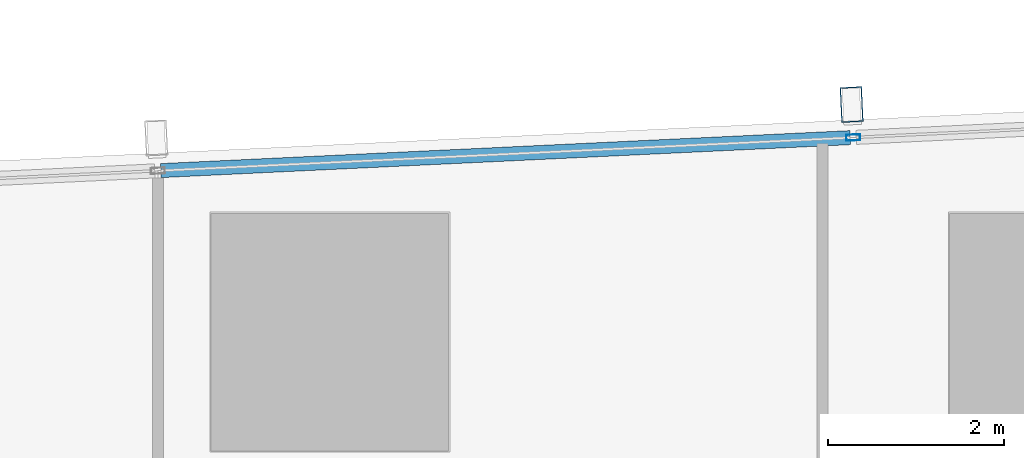
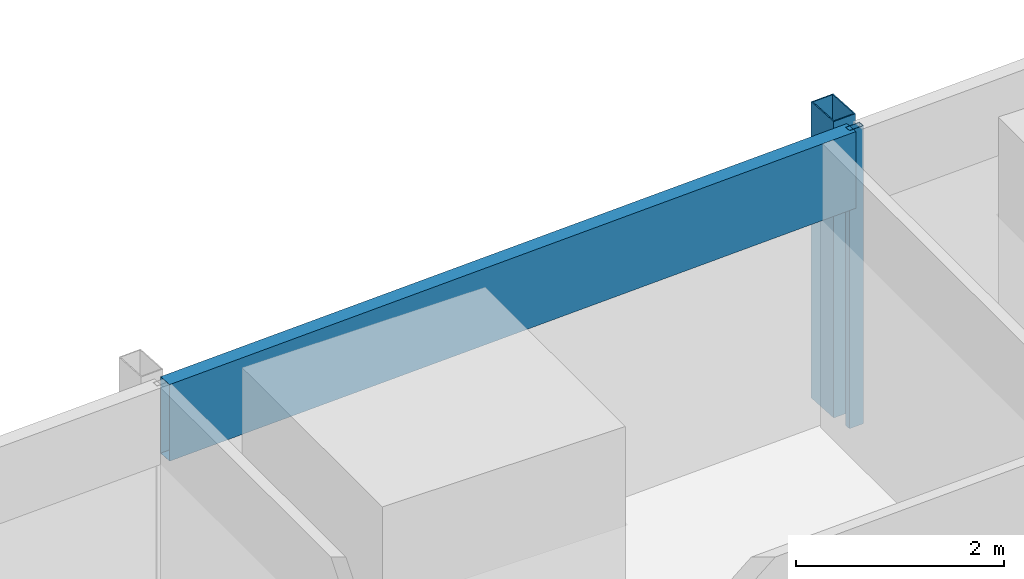
# One storey, part 16 of 36: 3 members, 1 element without a shape of its own.
"""IFC4 building model written with IfcOpenShell, lengths in metres."""

from ifc_helpers import new_model, si_unit, direction, frame, origin, origin_2d, place, context, subcontext, project, spatial, hollow_rectangle, extrude, material, material_profile, profile_set, type_object, element, aggregate, save


model = new_model("IFC4")

# Units and contexts
model_context = context("Model", 3, precision=1e-05, world=origin(), true_north=direction((0.0, 1.0)))
body_context = subcontext(model_context, "Body", "Model", "MODEL_VIEW")
ifc_project = project(units=[si_unit("LENGTHUNIT", "METRE"), si_unit("AREAUNIT", "SQUARE_METRE"), si_unit("VOLUMEUNIT", "CUBIC_METRE"), si_unit("PLANEANGLEUNIT", "RADIAN"), si_unit("MASSUNIT", "GRAM", prefix="KILO")], contexts=[model_context])

# Site, building, storey
site_placement = place(None, origin())
site = spatial("IfcSite", under=ifc_project, at=site_placement, CompositionType="ELEMENT")
building_placement = place(site_placement, origin())
building = spatial("IfcBuilding", under=site, at=building_placement, Name="Rekha Terrace Tower", CompositionType="ELEMENT")
storey_placement = place(building_placement, frame((0.0, 0.0, 172.699951171875)))
storey = spatial("IfcBuildingStorey", under=building, at=storey_placement, Name="L43", CompositionType="ELEMENT", Elevation=172.699951171875)

# Curtain wall, members
ifc_material_1 = material(Name="Aluminium framing", Category="aluminium")
curtain_wall_type = type_object("IfcCurtainWallType", Name="CW3 north unitised glazing", PredefinedType="USERDEFINED", material=ifc_material_1)
curtain_wall_placement = place(storey_placement, origin())
curtain_wall = element("IfcCurtainWall", 1, at=curtain_wall_placement, inside=storey, type_object=curtain_wall_type, Name="CW3 unitised curtain wall", ObjectType="UNITISED CURTAIN WALL", PredefinedType="USERDEFINED")
ifc_material_2 = material(Name="Steel S355 with fluorocarbon finish", Category="steel")
ifc_material_profile_1 = material_profile(ifc_material_2, hollow_rectangle(XDim=0.25, YDim=0.39990234375, WallThickness=0.012451171875, at=origin_2d()), Name="RHS400x250x12.5")
ifc_profile_set_1 = profile_set([ifc_material_profile_1], Name="Steel S355 with fluorocarbon finish")
member_type_1 = type_object("IfcMemberType", Name="BL1 facade blade RHS 400 x 250", PredefinedType="USERDEFINED", material=ifc_profile_set_1)
member_1_placement = place(storey_placement, frame((22.734130859375, 61.389404296875, 0.02001953125), z_axis=(0.0, 0.0, 1.0), x_axis=(-0.998858913274, -0.04775846913, 0.0)))
member_1 = element("IfcMember", 2, at=member_1_placement, type_object=member_type_1, Name="Facade blade", ObjectType="FACADE BLADE", PredefinedType="USERDEFINED", context=body_context, shape_type="SweptSolid", body=[
    extrude(hollow_rectangle(XDim=0.25, YDim=0.39990234375, WallThickness=0.012451171875, at=origin_2d()), origin(), (0.0, 0.0, 1.0), 3.47998046875),
])
ifc_material_3 = material(Name="Aluminium mullion section", Category="aluminium")
ifc_material_profile_2 = material_profile(ifc_material_3, hollow_rectangle(XDim=0.070068359375, YDim=0.159912109375, WallThickness=0.00390625, at=origin_2d()), Name="AL RHS 70x160")
ifc_profile_set_2 = profile_set([ifc_material_profile_2], Name="Aluminium mullion section")
member_type_2 = type_object("IfcMemberType", Name="CW3 mullion RHS 70 x 160", PredefinedType="MULLION", material=ifc_profile_set_2)
member_2_placement = place(storey_placement, frame((22.751953125, 61.014892578125, 0.0), z_axis=(0.0, 0.0, 1.0), x_axis=(0.047758616983, -0.998858906204, 0.0)))
member_2 = element("IfcMember", 3, at=member_2_placement, type_object=member_type_2, Name="CW3 mullion 4", PredefinedType="MULLION", context=body_context, shape_type="SweptSolid", body=[
    extrude(hollow_rectangle(XDim=0.070068359375, YDim=0.159912109375, WallThickness=0.00390625, at=origin_2d()), origin(), (0.0, 0.0, 1.0), 3.5),
])
ifc_material_4 = material(Name="Insulated aluminium spandrel box", Category="aluminium")
ifc_material_profile_3 = material_profile(ifc_material_4, hollow_rectangle(XDim=0.159912109375, YDim=0.89990234375, WallThickness=0.0029296875, at=origin_2d()), Name="AL SPANDREL BOX 160x900")
ifc_profile_set_3 = profile_set([ifc_material_profile_3], Name="Insulated aluminium spandrel box")
member_type_3 = type_object("IfcMemberType", Name="CW3 spandrel transom 160 x 900", PredefinedType="USERDEFINED", material=ifc_profile_set_3)
member_3_placement = place(storey_placement, frame((22.717041015625, 61.01318359375, 3.050048828125), z_axis=(-0.998859252362, -0.047751376635, 0.0), x_axis=(0.047751376635, -0.998859252362, 0.0)))
member_3 = element("IfcMember", 4, at=member_3_placement, type_object=member_type_3, Name="CW3 spandrel transom 4", ObjectType="TRANSOM", PredefinedType="USERDEFINED", context=body_context, shape_type="SweptSolid", body=[
    extrude(hollow_rectangle(XDim=0.159912109375, YDim=0.89990234375, WallThickness=0.0029296875, at=origin_2d()), origin(), (0.0, 0.0, 1.0), 7.84814453125),
])
aggregate(curtain_wall, [member_2, member_3, member_1])

save(model, "model.ifc")
